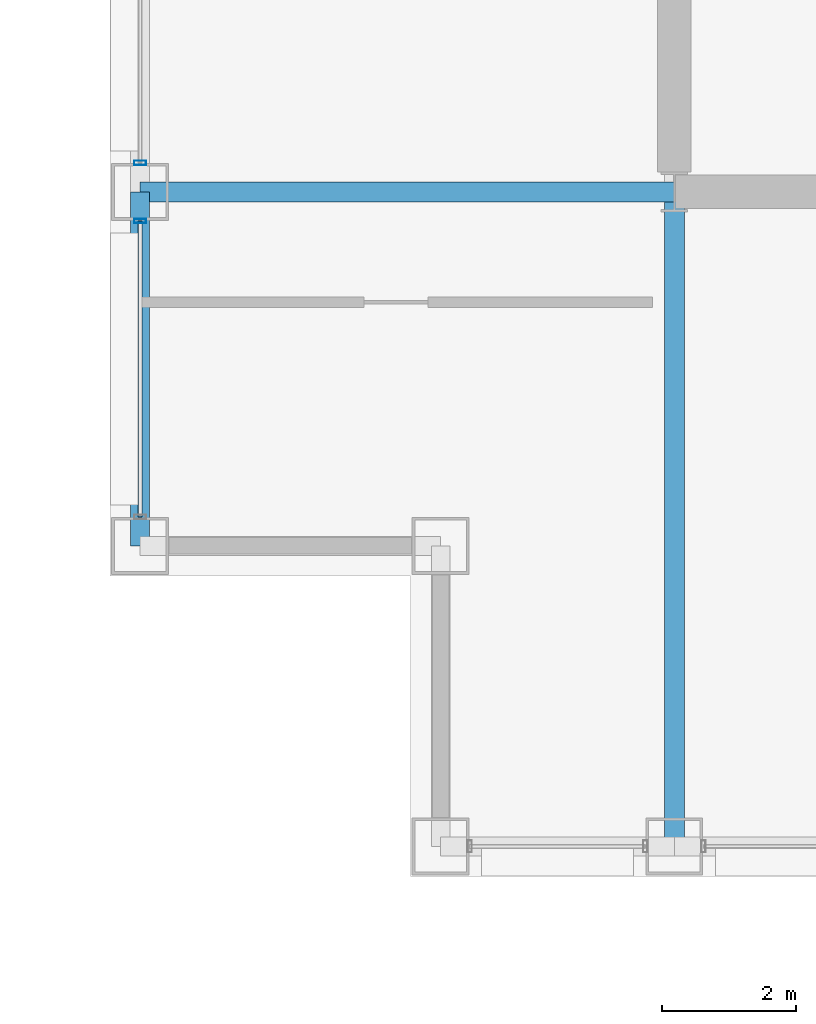
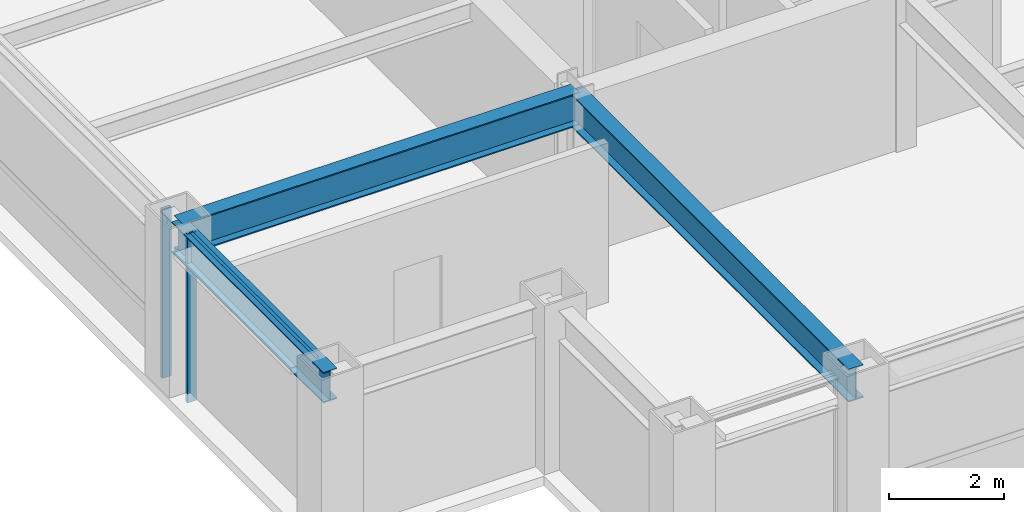
# One storey, part 3 of 31: 3 beams, 3 members, 2 elements without a shape of their own.
"""IFC4 building model written with IfcOpenShell, lengths in metres."""

import ifcopenshell
import ifcopenshell.guid

model = None  # the IFC model being written
_history = None  # IfcOwnerHistory: only IFC2X3 demands one
_inside = {}  # id of a spatial element -> (the spatial element, [elements in it])
_under = {}  # id of a project, library or spatial element -> (it, [spatial elements below it])
_declared = {}  # id of a project -> (the project, [libraries it declares])
_typed = {}  # id of a type object -> (the type object, [elements of that type])
_made_of = {}  # id of a material, layer set ... -> (it, [elements and type objects made of it])


def new_model(schema):
    """Start an empty IFC model of exactly this schema.

    Asked for "IFC4X3", IfcOpenShell would pick the latest addendum, in which some entities
    have other attributes; the version numbers below select the first issue.
    IFC2X3 requires an IfcOwnerHistory on every rooted entity: one is made here for all.
    """
    global model, _history
    if schema == "IFC4X3":
        model = ifcopenshell.file(schema_version=(4, 3, 0, 0))
    else:
        model = ifcopenshell.file(schema=schema)
    _inside.clear()
    _under.clear()
    _declared.clear()
    _typed.clear()
    _made_of.clear()
    _history = None
    if model.schema == "IFC2X3":
        org = make("IfcOrganization", Name="unknown")
        user = make(
            "IfcPersonAndOrganization",
            ThePerson=make("IfcPerson", FamilyName="unknown"),
            TheOrganization=org,
        )
        app = make(
            "IfcApplication",
            ApplicationDeveloper=org,
            Version="unknown",
            ApplicationFullName="unknown",
            ApplicationIdentifier="unknown",
        )
        _history = make(
            "IfcOwnerHistory",
            OwningUser=user,
            OwningApplication=app,
            ChangeAction="ADDED",
            CreationDate=0,
        )
    return model


def make(cls, **values):
    """One entity of the class cls with the attributes given. An attribute that is None is left unset."""
    return model.create_entity(
        cls, **{name: value for name, value in values.items() if value is not None}
    )


def rooted(cls, **values):
    """An entity with a GlobalId (a new one), such as an element, a storey or a relation."""
    return make(cls, GlobalId=ifcopenshell.guid.new(), OwnerHistory=_history, **values)


def si_unit(unit_type, name, prefix=None):
    """IfcSIUnit, for example si_unit("LENGTHUNIT", "METRE", prefix="MILLI")."""
    return make("IfcSIUnit", UnitType=unit_type, Prefix=prefix, Name=name)


def assignment(units):
    """IfcUnitAssignment: the units of a project."""
    return None if units is None else make("IfcUnitAssignment", Units=units)


def point(xyz):
    """IfcCartesianPoint."""
    return None if xyz is None else make("IfcCartesianPoint", Coordinates=xyz)


def direction(xyz):
    """IfcDirection."""
    return None if xyz is None else make("IfcDirection", DirectionRatios=xyz)


def frame(location, z_axis=None, x_axis=None):
    """IfcAxis2Placement3D, a coordinate frame: its origin and axes. An axis left out is left unset."""
    return make(
        "IfcAxis2Placement3D",
        Location=point(location),
        Axis=direction(z_axis),
        RefDirection=direction(x_axis),
    )


def frame_2d(location, x_axis=None):
    """IfcAxis2Placement2D, a coordinate frame in the plane: its origin and x axis."""
    return make(
        "IfcAxis2Placement2D", Location=point(location), RefDirection=direction(x_axis)
    )


def origin():
    """The frame at (0, 0, 0) with its axes left unset."""
    return frame((0.0, 0.0, 0.0))


def origin_2d():
    """The frame at (0, 0) in the plane with its x axis left unset."""
    return frame_2d((0.0, 0.0))


def place(relative_to, where):
    """IfcLocalPlacement: puts the frame where relative to a parent placement (None: the world)."""
    return make(
        "IfcLocalPlacement", PlacementRelTo=relative_to, RelativePlacement=where
    )


def context(
    kind, dimensions, precision=None, world=None, true_north=None, identifier=None
):
    """IfcGeometricRepresentationContext, for example the 3D "Model" context."""
    return make(
        "IfcGeometricRepresentationContext",
        ContextIdentifier=identifier,
        ContextType=kind,
        CoordinateSpaceDimension=dimensions,
        Precision=precision,
        WorldCoordinateSystem=world,
        TrueNorth=true_north,
    )


def subcontext(parent, identifier, kind, view, scale=None):
    """IfcGeometricRepresentationSubContext, for example "Body" below "Model"."""
    return make(
        "IfcGeometricRepresentationSubContext",
        ContextIdentifier=identifier,
        ContextType=kind,
        ParentContext=parent,
        TargetScale=scale,
        TargetView=view,
    )


def project(units=None, contexts=None):
    """IfcProject with its units and contexts."""
    return rooted(
        "IfcProject",
        Name="project",
        RepresentationContexts=contexts,
        UnitsInContext=assignment(units),
    )


def spatial(cls, under=None, at=None, **own):
    """A site, building, storey or space (cls), placed at a placement, below another one or the project."""
    s = rooted(cls, ObjectPlacement=at, **own)
    if under is not None:
        _under.setdefault(under.id(), (under, []))[1].append(s)
    return s


def profile(cls, at=None, kind="AREA", **sizes):
    """A parametric profile (cls). Its sizes go by their IFC names, for example OverallWidth=200.0."""
    return make(cls, ProfileType=kind, Position=at, **sizes)


def hollow_rectangle(**sizes):
    """IfcRectangleHollowProfileDef."""
    return profile("IfcRectangleHollowProfileDef", **sizes)


def i_section(**sizes):
    """IfcIShapeProfileDef."""
    return profile("IfcIShapeProfileDef", **sizes)


def extrude(swept, where, along, depth):
    """IfcExtrudedAreaSolid: the profile swept, set in the frame where, extruded along a direction by depth."""
    return make(
        "IfcExtrudedAreaSolid",
        SweptArea=swept,
        Position=where,
        ExtrudedDirection=direction(along),
        Depth=depth,
    )


def shape(context_of_items, identifier, shape_type, items):
    """IfcShapeRepresentation: the items that make up one representation, for example the "Body"."""
    return make(
        "IfcShapeRepresentation",
        ContextOfItems=context_of_items,
        RepresentationIdentifier=identifier,
        RepresentationType=shape_type,
        Items=items,
    )


def material(Name=None, Category=None):
    """IfcMaterial."""
    return make("IfcMaterial", Name=Name, Category=Category)


def layer(
    of_material, thickness, ventilated=None, Name=None, Category=None, Priority=None
):
    """IfcMaterialLayer: one layer of a wall or slab, of a material (None: an air gap)."""
    return make(
        "IfcMaterialLayer",
        Material=of_material,
        LayerThickness=thickness,
        IsVentilated=ventilated,
        Name=Name,
        Category=Category,
        Priority=Priority,
    )


def layer_set(layers, Name=None):
    """IfcMaterialLayerSet."""
    return make("IfcMaterialLayerSet", MaterialLayers=layers, LayerSetName=Name)


def material_profile(
    of_material, cross_section, Name=None, Category=None, Priority=None
):
    """IfcMaterialProfile: a cross section and its material."""
    return make(
        "IfcMaterialProfile",
        Name=Name,
        Material=of_material,
        Profile=cross_section,
        Priority=Priority,
        Category=Category,
    )


def profile_set(profiles, Name=None, composite=None):
    """IfcMaterialProfileSet."""
    return make(
        "IfcMaterialProfileSet",
        Name=Name,
        MaterialProfiles=profiles,
        CompositeProfile=composite,
    )


def made_of(thing, what):
    """Note that an element or type object is made of a material, layer set ...; save() writes the relation."""
    if what is not None:
        _made_of.setdefault(what.id(), (what, []))[1].append(thing)
    return thing


def type_object(cls, material=None, **own):
    """A type object (cls), such as IfcWallType, which elements share."""
    return made_of(rooted(cls, **own), material)


def element(
    cls,
    number,
    at=None,
    inside=None,
    cuts=None,
    type_object=None,
    material=None,
    context=None,
    identifier="Body",
    shape_type=None,
    held_by="IfcProductDefinitionShape",
    body=None,
    shapes=None,
    **own,
):
    """One element of the class cls, such as IfcWall. Its Tag is "e" and its number.

    at: its placement. inside: the storey or other place that contains it. cuts: it is an
    opening in that element (IfcRelVoidsElement). A single representation is given by context,
    identifier, shape_type and body (its items); several are given by shapes. held_by: the class
    of the entity that holds the representations. save() writes the other relations.
    """
    e = rooted(cls, Tag="e%d" % number, ObjectPlacement=at, **own)
    if body is not None:
        shapes = [shape(context, identifier, shape_type, body)]
    if shapes is not None:
        e.Representation = make(held_by, Representations=shapes)
    if inside is not None:
        _inside.setdefault(inside.id(), (inside, []))[1].append(e)
    if cuts is not None:
        rooted(
            "IfcRelVoidsElement", RelatingBuildingElement=cuts, RelatedOpeningElement=e
        )
    if type_object is not None:
        _typed.setdefault(type_object.id(), (type_object, []))[1].append(e)
    return made_of(e, material)


def aggregate(whole, parts):
    """IfcRelAggregates: a whole, such as a stair, and the parts it consists of."""
    return rooted("IfcRelAggregates", RelatingObject=whole, RelatedObjects=parts)


def save(model, path):
    """Write the relations noted so far, then the file.

    IfcRelAggregates (storeys below a building ...), IfcRelContainedInSpatialStructure (elements
    in a storey), IfcRelDefinesByType, IfcRelAssociatesMaterial and IfcRelDeclares: one each for
    every whole, place, type object, material and project.
    """
    for whole, parts in _under.values():
        aggregate(whole, parts)
    for where, things in _inside.values():
        rooted(
            "IfcRelContainedInSpatialStructure",
            RelatedElements=things,
            RelatingStructure=where,
        )
    for kind, things in _typed.values():
        rooted("IfcRelDefinesByType", RelatedObjects=things, RelatingType=kind)
    for what, things in _made_of.values():
        rooted("IfcRelAssociatesMaterial", RelatedObjects=things, RelatingMaterial=what)
    for by, libraries in _declared.values():
        rooted("IfcRelDeclares", RelatingContext=by, RelatedDefinitions=libraries)
    model.write(path)


model = new_model("IFC4")

# Units and contexts
model_context = context("Model", 3, precision=1e-05, world=origin(), true_north=direction((0.0, 1.0)))
body_context = subcontext(model_context, "Body", "Model", "MODEL_VIEW")
ifc_project = project(units=[si_unit("LENGTHUNIT", "METRE"), si_unit("AREAUNIT", "SQUARE_METRE"), si_unit("VOLUMEUNIT", "CUBIC_METRE"), si_unit("PLANEANGLEUNIT", "RADIAN"), si_unit("MASSUNIT", "GRAM", prefix="KILO")], contexts=[model_context])

# Site, building, storey
site_placement = place(None, origin())
site = spatial("IfcSite", under=ifc_project, at=site_placement, CompositionType="ELEMENT")
building_placement = place(site_placement, origin())
building = spatial("IfcBuilding", under=site, at=building_placement, Name="Brelmoor Portico Tower", CompositionType="ELEMENT")
storey_placement = place(building_placement, frame((0.0, 0.0, 106.199951171875)))
storey = spatial("IfcBuildingStorey", under=building, at=storey_placement, Name="L27", CompositionType="ELEMENT", Elevation=106.199951171875)

# Beams
ifc_material_1 = material(Name="Steel Q355B", Category="steel")
ifc_material_profile_1 = material_profile(ifc_material_1, i_section(OverallWidth=0.300048828125, OverallDepth=0.699951171875, WebThickness=0.012939453125, FlangeThickness=0.02392578125, at=origin_2d()), Name="HN 700x300x13x24")
ifc_profile_set_1 = profile_set([ifc_material_profile_1], Name="Steel Q355B")
beam_type_1 = type_object("IfcBeamType", Name="BM-PG-700", PredefinedType="BEAM", material=ifc_profile_set_1)
beam_1_placement = place(storey_placement, frame((-14.550048828125, -19.550048828125, 3.050048828125), z_axis=(0.0, 1.0, 0.0), x_axis=(-1.0, 0.0, 0.0)))
element("IfcBeam", 1, at=beam_1_placement, inside=storey, type_object=beam_type_1, Name="L27 Primary Floor Girder PG-01", PredefinedType="BEAM", context=body_context, shape_type="SweptSolid", body=[
    extrude(i_section(OverallWidth=0.300048828125, OverallDepth=0.699951171875, WebThickness=0.012939453125, FlangeThickness=0.02392578125, at=origin_2d()), origin(), (0.0, 0.0, 1.0), 9.800048828125),
])
beam_2_placement = place(storey_placement, frame((-22.550048828125, -9.75, 3.050048828125), z_axis=(1.0, 0.0, 0.0), x_axis=(0.0, 1.0, 0.0)))
element("IfcBeam", 2, at=beam_2_placement, inside=storey, type_object=beam_type_1, Name="L27 Primary Floor Girder PG-14", PredefinedType="BEAM", context=body_context, shape_type="SweptSolid", body=[
    extrude(i_section(OverallWidth=0.300048828125, OverallDepth=0.699951171875, WebThickness=0.012939453125, FlangeThickness=0.02392578125, at=origin_2d()), origin(), (0.0, 0.0, 1.0), 8.0),
])
ifc_material_profile_2 = material_profile(ifc_material_1, i_section(OverallWidth=0.280029296875, OverallDepth=0.64990234375, WebThickness=0.012939453125, FlangeThickness=0.02197265625, at=origin_2d()), Name="HN 650x280x13x22")
ifc_profile_set_2 = profile_set([ifc_material_profile_2], Name="Steel Q355B")
beam_type_2 = type_object("IfcBeamType", Name="BM-SP-650", PredefinedType="SPANDREL", material=ifc_profile_set_2)
beam_3_placement = place(storey_placement, frame((-22.550048828125, -15.050048828125, 3.074951171875), z_axis=(0.0, 1.0, 0.0), x_axis=(-1.0, 0.0, 0.0)))
element("IfcBeam", 3, at=beam_3_placement, inside=storey, type_object=beam_type_2, Name="L27 Perimeter Spandrel Beam SP-15", PredefinedType="SPANDREL", context=body_context, shape_type="SweptSolid", body=[
    extrude(i_section(OverallWidth=0.280029296875, OverallDepth=0.64990234375, WebThickness=0.012939453125, FlangeThickness=0.02197265625, at=origin_2d()), origin(), (0.0, 0.0, 1.0), 5.300048828125),
])

# Curtain wall, member
ifc_material_2 = material(Name="Anodised Aluminium Alloy 6063-T6", Category="aluminium")
ifc_layer_1 = layer(ifc_material_2, 0.179931640625)
ifc_layer_set_1 = layer_set([ifc_layer_1], Name="Anodised Aluminium Alloy 6063-T6")
curtain_wall_type_1 = type_object("IfcCurtainWallType", Name="CW-TOWER-Z2-XB", PredefinedType="NOTDEFINED", material=ifc_layer_set_1)
curtain_wall_1_placement = place(storey_placement, origin())
curtain_wall_1 = element("IfcCurtainWall", 4, at=curtain_wall_1_placement, inside=storey, type_object=curtain_wall_type_1, Name="L27 Curtain Wall CW-L27-3L-1", PredefinedType="NOTDEFINED")
ifc_material_profile_3 = material_profile(ifc_material_2, hollow_rectangle(XDim=0.06494140625, YDim=0.179931640625, WallThickness=0.00390625, at=origin_2d()), Name="ALU MULLION 65x180")
ifc_profile_set_3 = profile_set([ifc_material_profile_3], Name="Anodised Aluminium Alloy 6063-T6")
member_type_1 = type_object("IfcMemberType", Name="MB-CW-MULL-180", PredefinedType="MULLION", material=ifc_profile_set_3)
member_1_placement = place(storey_placement, frame((-22.550048828125, -10.18505859375, -0.199951171875), z_axis=(0.0, 0.0, 1.0), x_axis=(0.0, 1.0, 0.0)))
member_1 = element("IfcMember", 5, at=member_1_placement, type_object=member_type_1, Name="CW-L27-3L-1 Mullion 01", PredefinedType="MULLION", context=body_context, shape_type="SweptSolid", body=[
    extrude(hollow_rectangle(XDim=0.06494140625, YDim=0.179931640625, WallThickness=0.00390625, at=origin_2d()), origin(), (0.0, 0.0, 1.0), 3.60009765625),
])

ifc_layer_2 = layer(ifc_material_2, 0.179931640625)
ifc_layer_set_2 = layer_set([ifc_layer_2], Name="Anodised Aluminium Alloy 6063-T6")
curtain_wall_type_2 = type_object("IfcCurtainWallType", Name="CW-TOWER-Z2", PredefinedType="NOTDEFINED", material=ifc_layer_set_2)
curtain_wall_2_placement = place(storey_placement, origin())
curtain_wall_2 = element("IfcCurtainWall", 6, at=curtain_wall_2_placement, inside=storey, type_object=curtain_wall_type_2, Name="L27 Curtain Wall CW-L27-3L-2", PredefinedType="NOTDEFINED")
member_2_placement = place(storey_placement, frame((-22.550048828125, -9.31494140625, -0.199951171875), z_axis=(0.0, 0.0, 1.0), x_axis=(0.0, 1.0, 0.0)))
member_2 = element("IfcMember", 7, at=member_2_placement, type_object=member_type_1, Name="CW-L27-3L-2 Mullion 00", PredefinedType="MULLION", context=body_context, shape_type="SweptSolid", body=[
    extrude(hollow_rectangle(XDim=0.06494140625, YDim=0.179931640625, WallThickness=0.00390625, at=origin_2d()), origin(), (0.0, 0.0, 1.0), 3.60009765625),
])
aggregate(curtain_wall_2, [member_2])

# Member
ifc_material_profile_4 = material_profile(ifc_material_2, hollow_rectangle(XDim=0.06494140625, YDim=0.139892578125, WallThickness=0.00390625, at=origin_2d()), Name="ALU TRANSOM 65x140")
ifc_profile_set_4 = profile_set([ifc_material_profile_4], Name="Anodised Aluminium Alloy 6063-T6")
member_type_2 = type_object("IfcMemberType", Name="MB-CW-TRAN-140", PredefinedType="USERDEFINED", material=ifc_profile_set_4)
member_3_placement = place(storey_placement, frame((-22.550048828125, -14.614990234375, 3.330078125), z_axis=(0.0, 1.0, 0.0), x_axis=(-1.0, 0.0, 0.0)))
member_3 = element("IfcMember", 8, at=member_3_placement, type_object=member_type_2, Name="CW-L27-3L-1 Transom 1-00", ObjectType="TRANSOM", PredefinedType="USERDEFINED", context=body_context, shape_type="SweptSolid", body=[
    extrude(hollow_rectangle(XDim=0.06494140625, YDim=0.139892578125, WallThickness=0.00390625, at=origin_2d()), origin(), (0.0, 0.0, 1.0), 4.429931640625),
])

aggregate(curtain_wall_1, [member_1, member_3])

save(model, "model.ifc")
